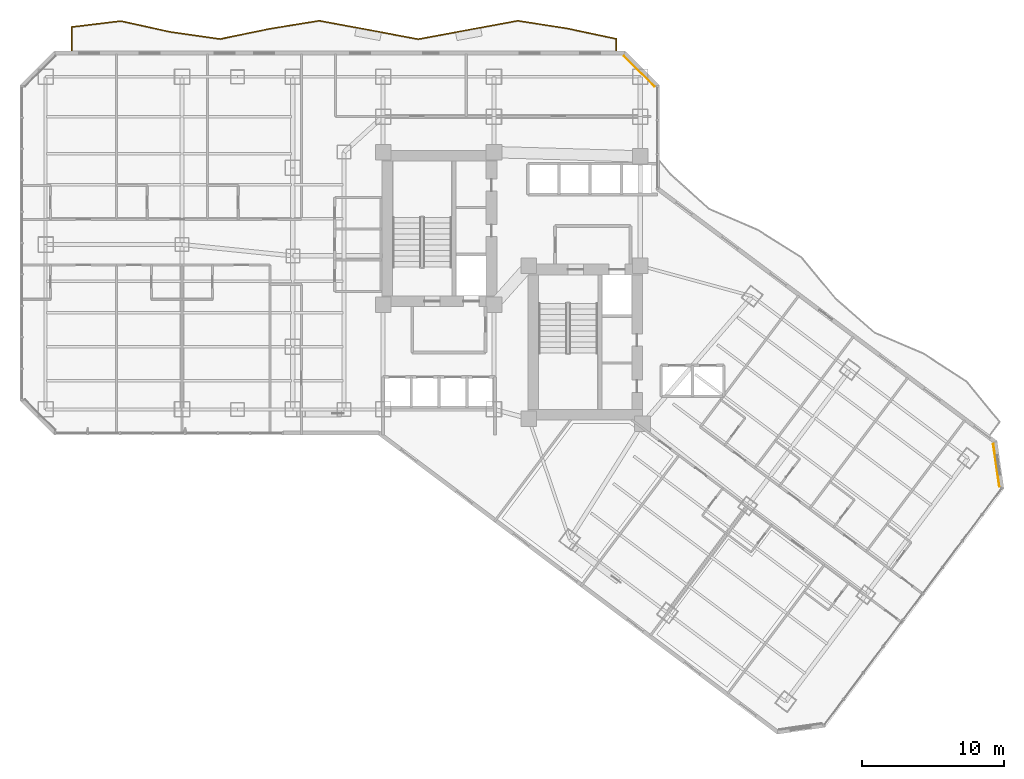
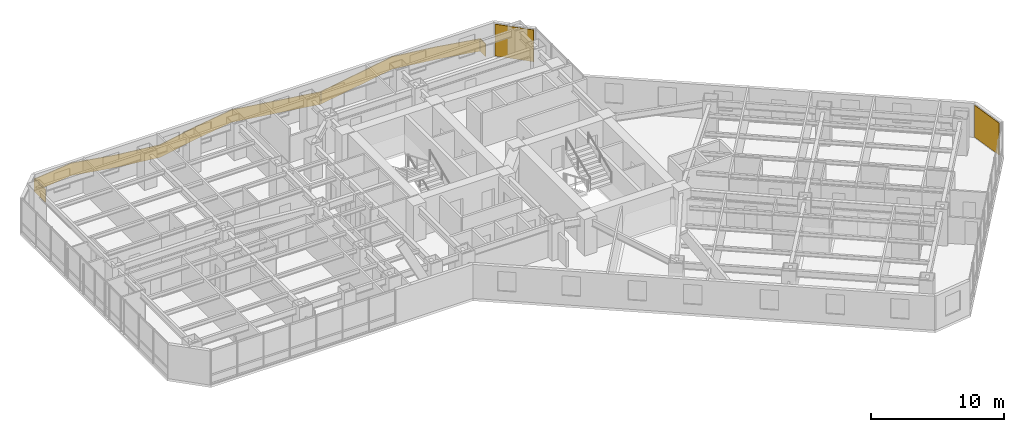
# One storey, part 32 of 32: 2 coverings, 1 railing.
"""IFC4 building model written with IfcOpenShell, lengths in metres."""

from ifc_helpers import new_model, si_unit, direction, frame, origin, origin_2d, place, context, subcontext, project, spatial, polyline, rectangle, outline, extrude, material, layer, layer_set, type_object, element, save


model = new_model("IFC4")

# Units and contexts
model_context = context("Model", 3, precision=1e-05, world=origin(), true_north=direction((0.0, 1.0)))
body_context = subcontext(model_context, "Body", "Model", "MODEL_VIEW")
ifc_project = project(units=[si_unit("LENGTHUNIT", "METRE"), si_unit("AREAUNIT", "SQUARE_METRE"), si_unit("VOLUMEUNIT", "CUBIC_METRE"), si_unit("PLANEANGLEUNIT", "RADIAN"), si_unit("MASSUNIT", "GRAM", prefix="KILO")], contexts=[model_context])

# Site, building, storey
site_placement = place(None, origin())
site = spatial("IfcSite", under=ifc_project, at=site_placement, CompositionType="ELEMENT")
building_placement = place(site_placement, origin())
building = spatial("IfcBuilding", under=site, at=building_placement, Name="Hatsunagi Terrace Concourse", CompositionType="ELEMENT")
storey_placement = place(building_placement, frame((0.0, 0.0, 36.60009765625)))
storey = spatial("IfcBuildingStorey", under=building, at=storey_placement, Name="L08", CompositionType="ELEMENT", Elevation=36.60009765625)

# Railing
ifc_material_1 = material(Name="Laminated Glass and Stainless Steel Guard", Category="steel")
ifc_layer_1 = layer(ifc_material_1, 0.070068359375)
ifc_layer_set_1 = layer_set([ifc_layer_1], Name="BalconyGlassGuardRail_1150")
railing_type = type_object("IfcRailingType", Name="BalconyGlassGuardRail_1150", PredefinedType="BALUSTRADE", material=ifc_layer_set_1)
railing_placement = place(storey_placement, origin())
element("IfcRailing", 1, at=railing_placement, inside=storey, type_object=railing_type, Name="Engawa Balcony Guard GRD-01 L08-BN-1", PredefinedType="BALUSTRADE", context=body_context, shape_type="SweptSolid", body=[
    extrude(outline(polyline([(3.614990234375, 50.449951171875), (3.68505859375, 50.449951171875), (3.68505859375, 52.075927734375), (7.08740234375, 52.490478515625), (10.56689453125, 51.7255859375), (14.076171875, 51.223388671875), (17.579345703125, 51.946533203125), (21.0537109375, 52.511474609375), (28.035888671875, 51.21337890625), (35.01953125, 52.509521484375), (38.49365234375, 51.9716796875), (41.9150390625, 51.24462890625), (41.9150390625, 50.449951171875), (41.985107421875, 50.449951171875), (41.985107421875, 51.30126953125), (38.50634765625, 52.040283203125), (35.0185546875, 52.58056640625), (28.035888671875, 51.28466796875), (21.054443359375, 52.58251953125), (17.566650390625, 52.015380859375), (14.073974609375, 51.29443359375), (10.5791015625, 51.79443359375), (7.0908203125, 52.5615234375), (3.614990234375, 52.137939453125), (3.614990234375, 50.449951171875)])), origin(), (0.0, 0.0, 1.0), 1.14990234375),
])

# Coverings
ifc_material_2 = material(Name="Unglazed Warm Terracotta Rainscreen Tile", Category="masonry")
ifc_layer_2 = layer(ifc_material_2, 0.044921875)
ifc_layer_set_2 = layer_set([ifc_layer_2], Name="TerracottaRainscreenCladding_45")
covering_type = type_object("IfcCoveringType", Name="TerracottaRainscreenCladding_45", PredefinedType="CLADDING", material=ifc_layer_set_2)
for number, where, z_axis, x_axis, name in (
    (2, (68.700927734375, 21.258056640625, 0.10009765625), (0.0, 0.0, 1.0), (0.141250262458, -0.989973920543, 0.0), "Terracotta Rainscreen Cladding L08-02"),
    (3, (43.5859375, 48.986083984375, 0.10009765625), (0.0, 0.0, 1.0), (0.707106781187, -0.707106781187, 0.0), "Terracotta Rainscreen Cladding L08-12"),
):
    element("IfcCovering", number, at=place(storey_placement, frame(where, z_axis=z_axis, x_axis=x_axis)), inside=storey, type_object=covering_type, Name=name, PredefinedType="CLADDING", context=body_context, shape_type="SweptSolid", body=[
        extrude(rectangle(XDim=3.0380859375, YDim=0.044921875, at=origin_2d()), origin(), (0.0, 0.0, 1.0), 2.929931640625),
    ])

save(model, "model.ifc")
